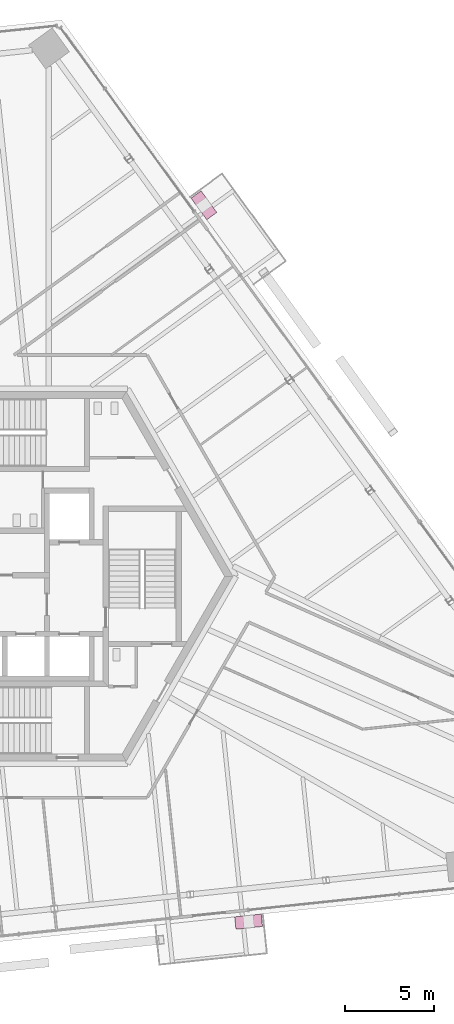
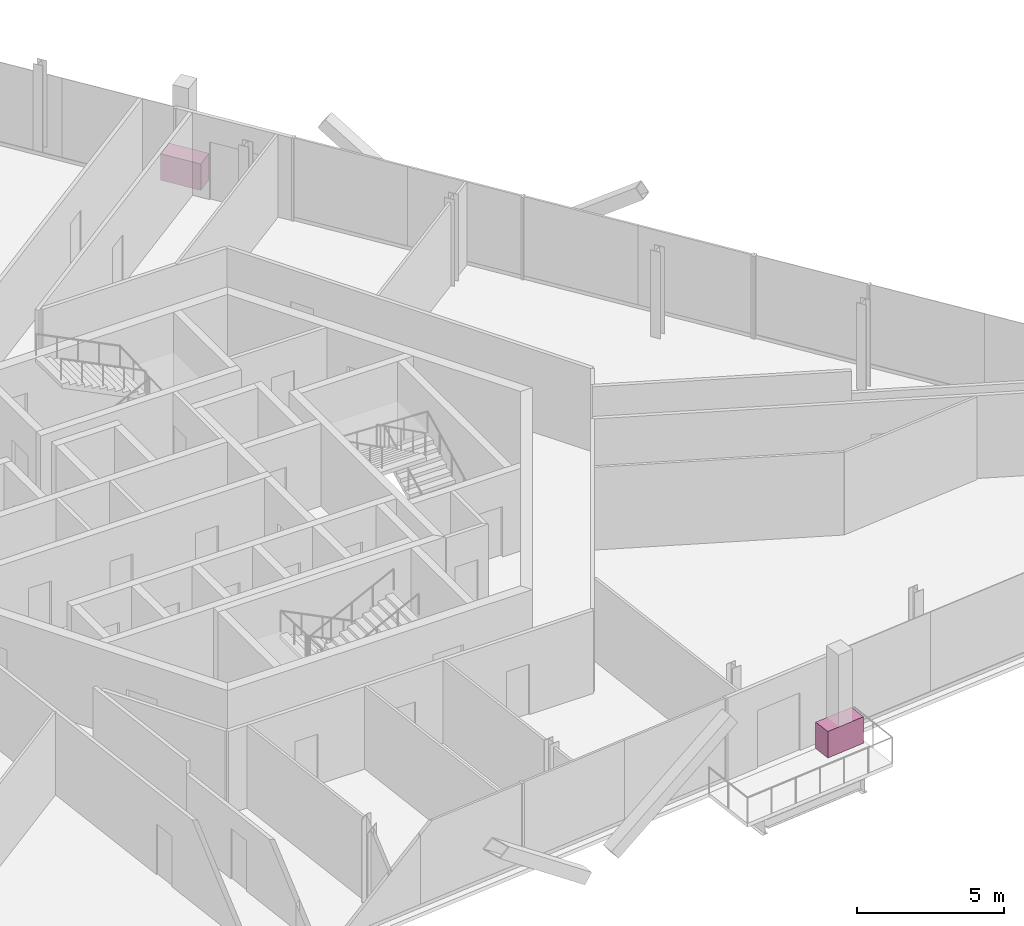
# One storey, part 17 of 18: 2 furniture elements.
"""IFC4 building model written with IfcOpenShell, lengths in metres."""

from ifc_helpers import new_model, si_unit, direction, frame, origin, origin_2d, place, context, subcontext, project, spatial, rectangle, extrude, source, transform, mapped, material, type_object, element, save


model = new_model("IFC4")

# Units and contexts
model_context = context("Model", 3, precision=1e-05, world=origin(), true_north=direction((0.0, 1.0)))
body_context = subcontext(model_context, "Body", "Model", "MODEL_VIEW")
ifc_project = project(units=[si_unit("LENGTHUNIT", "METRE"), si_unit("AREAUNIT", "SQUARE_METRE"), si_unit("VOLUMEUNIT", "CUBIC_METRE"), si_unit("PLANEANGLEUNIT", "RADIAN"), si_unit("MASSUNIT", "GRAM", prefix="KILO")], contexts=[model_context])

# Site, building, storey
site_placement = place(None, origin())
site = spatial("IfcSite", under=ifc_project, at=site_placement, CompositionType="ELEMENT")
building_placement = place(site_placement, origin())
building = spatial("IfcBuilding", under=site, at=building_placement, Name="Triune Harvest Tower", CompositionType="ELEMENT")
storey_placement = place(building_placement, frame((0.0, 0.0, 237.699951171875)))
storey = spatial("IfcBuildingStorey", under=building, at=storey_placement, Name="L62", CompositionType="ELEMENT", Elevation=237.699951171875)

# Furniture
ifc_material = material(Name="Concrete 40 MPa", Category="concrete")
furniture_type = type_object("IfcFurnitureType", Name="PB-1 structural planter", AssemblyPlace="SITE", PredefinedType="USERDEFINED", material=ifc_material)
shared_shape = source(origin(), body_context, "Body", "SweptSolid", [
    extrude(rectangle(XDim=1.5, YDim=0.699951171875, at=origin_2d()), origin(), (0.0, 0.0, 1.0), 1.10009765625),
])
for number, where, z_axis, x_axis, name in (
    (1, (10.37109375, 20.86328125, 0.0), (0.0, 0.0, 1.0), (-0.587785672066, 0.809016689391, 0.0), "Planter B6-F1 L62.8b"),
    (2, (12.882568359375, -19.4130859375, 0.0), (0.0, 0.0, 1.0), (0.994521747579, 0.104529869379, 0.0), "Planter B6-F5 L62.8b"),
):
    element("IfcFurniture", number, at=place(storey_placement, frame(where, z_axis=z_axis, x_axis=x_axis)), inside=storey, type_object=furniture_type, Name=name, ObjectType="PLANTER", PredefinedType="USERDEFINED", context=body_context, shape_type="MappedRepresentation", body=[
        mapped(shared_shape, transform((0.0, 0.0, 0.0), scale=1.0)),
    ])

save(model, "model.ifc")
